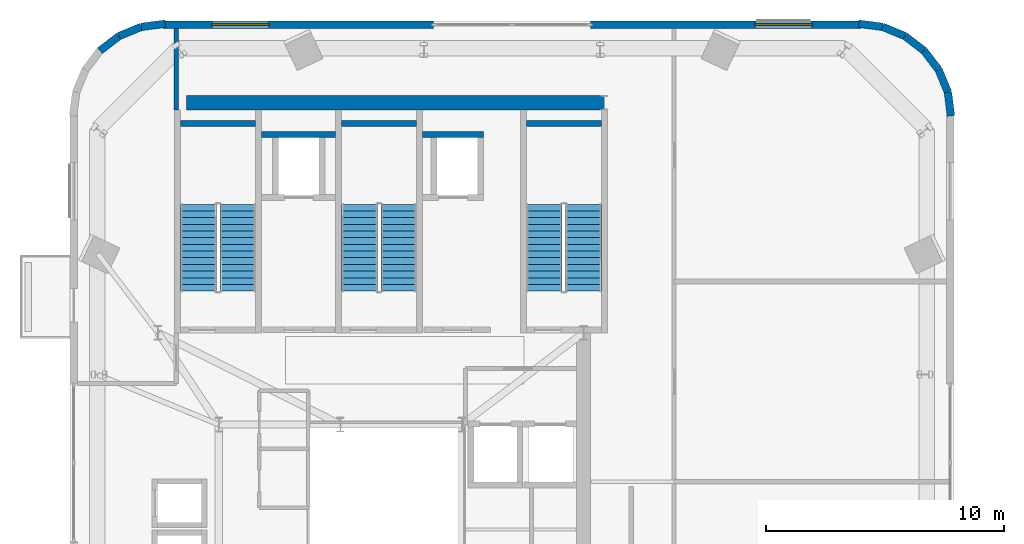
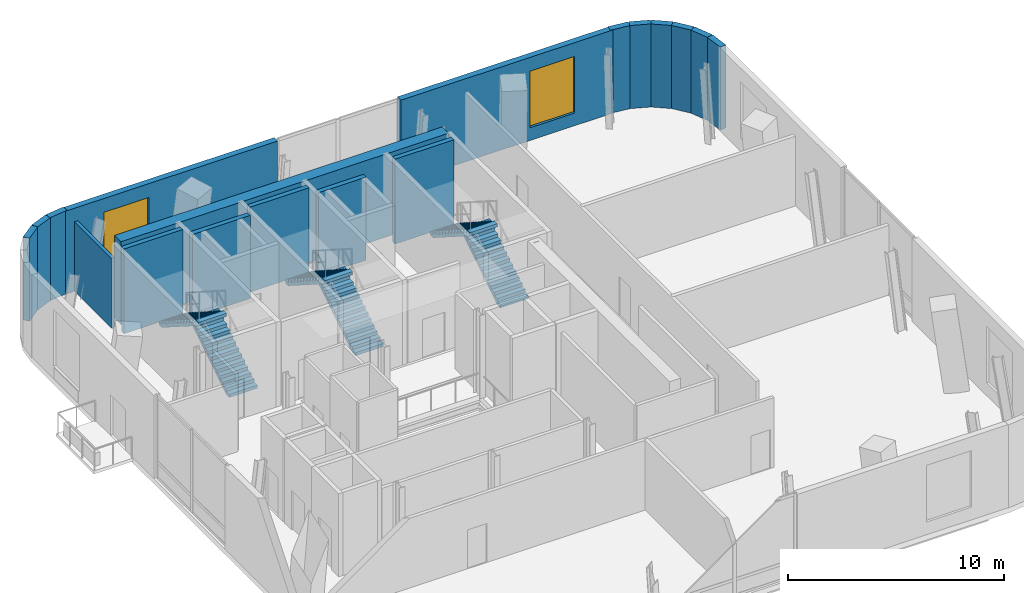
# One storey, part 8 of 10: 18 walls, 6 stair flights, 2 windows, 2 openings, 3 elements without a shape of their own.
"""IFC4 building model written with IfcOpenShell, lengths in metres."""

from ifc_helpers import new_model, si_unit, direction, frame, frame_2d, origin, place, context, subcontext, project, spatial, polyline, rectangle, outline, extrude, source, transform, mapped, material, layer, layer_set, type_object, element, fill, aggregate, save


model = new_model("IFC4")

# Units and contexts
model_context = context("Model", 3, precision=1e-05, world=origin(), true_north=direction((0.0, 1.0)))
body_context = subcontext(model_context, "Body", "Model", "MODEL_VIEW")
ifc_project = project(units=[si_unit("LENGTHUNIT", "METRE"), si_unit("AREAUNIT", "SQUARE_METRE"), si_unit("VOLUMEUNIT", "CUBIC_METRE"), si_unit("PLANEANGLEUNIT", "RADIAN"), si_unit("MASSUNIT", "GRAM", prefix="KILO")], contexts=[model_context])

# Site, building, storey
site_placement = place(None, origin())
site = spatial("IfcSite", under=ifc_project, at=site_placement, CompositionType="ELEMENT")
building_placement = place(site_placement, origin())
building = spatial("IfcBuilding", under=site, at=building_placement, Name="Vardaveli Station Tower", CompositionType="ELEMENT")
storey_placement = place(building_placement, frame((0.0, 0.0, 291.14990234375)))
storey = spatial("IfcBuildingStorey", under=building, at=storey_placement, Name="L74", CompositionType="ELEMENT", Elevation=291.14990234375)

# Wall
ifc_material_1 = material(Name="Concrete C50/60", Category="concrete")
ifc_layer_1 = layer(ifc_material_1, 0.60009765625, Name="Concrete C50/60")
ifc_layer_set_1 = layer_set([ifc_layer_1], Name="Concrete C50/60")
wall_type_1 = type_object("IfcWallType", Name="WAL-CORE-600", PredefinedType="SHEAR", material=ifc_layer_set_1)
shared_shape_1 = source(origin(), body_context, "Body", "SweptSolid", [
    extrude(rectangle(XDim=17.52001953125, YDim=0.60009765625, at=frame_2d((8.760009765625, 0.0))), origin(), (0.0, 0.0, 1.0), 4.7001953125),
])
wall_1_placement = place(storey_placement, frame((29.85009765625, 40.300048828125, 0.0), z_axis=(0.0, 0.0, 1.0), x_axis=(1.0, 0.0, 0.0)))
element("IfcWall", 1, at=wall_1_placement, inside=storey, type_object=wall_type_1, Name="SW-L74-NORTH", PredefinedType="SHEAR", context=body_context, shape_type="MappedRepresentation", body=[
    mapped(shared_shape_1, transform((0.0, 0.0, 0.0), scale=1.0)),
])

# Wall, opening, window
ifc_material_2 = material(Name="Precast concrete C45/55", Category="concrete")
ifc_layer_2 = layer(ifc_material_2, 0.320068359375, Name="Precast concrete C45/55")
ifc_layer_set_2 = layer_set([ifc_layer_2], Name="Precast concrete C45/55")
wall_type_2 = type_object("IfcWallType", Name="WAL-EXT-STONE-320", PredefinedType="SOLIDWALL", material=ifc_layer_set_2)
shared_shape_2 = source(origin(), body_context, "Body", "SweptSolid", [
    extrude(rectangle(XDim=11.346923828125, YDim=0.320068359375, at=frame_2d((5.67333984375, 0.0))), origin(), (0.0, 0.0, 1.0), 4.7001953125),
])
wall_2_placement = place(storey_placement, frame((58.14697265625, 43.580078125, 0.0), z_axis=(0.0, 0.0, 1.0), x_axis=(-1.0, 0.0, 0.0)))
wall_2 = element("IfcWall", 2, at=wall_2_placement, inside=storey, type_object=wall_type_2, Name="EW-L74-N1", PredefinedType="SOLIDWALL", context=body_context, shape_type="MappedRepresentation", body=[
    mapped(shared_shape_2, transform((0.0, 0.0, 0.0), scale=1.0)),
])
shared_shape_3 = source(origin(), body_context, "Body", "SweptSolid", [
    extrude(rectangle(XDim=2.39990234375, YDim=3.199951171875, at=frame_2d((1.199951171875, 1.60009765625))), frame((0.0, 0.169921875, 0.0), z_axis=(0.0, -1.0, 0.0), x_axis=(1.0, 0.0, 0.0)), (0.0, 0.0, 1.0), 0.340087890625),
])
opening_1_placement = place(wall_2_placement, frame((2.054443359375, 0.0, 0.719970703125)))
opening_1 = element("IfcOpeningElement", 3, at=opening_1_placement, cuts=wall_2, Name="Opening W-06", PredefinedType="OPENING", context=body_context, shape_type="MappedRepresentation", body=[
    mapped(shared_shape_3, transform((0.0, 0.0, 0.0), scale=1.0)),
])
ifc_material_3 = material(Name="Low-iron tempered belvedere glass", Category="glass")
window_type = type_object("IfcWindowType", Name="WIN-OBS-2400x3200", PartitioningType="SINGLE_PANEL", PredefinedType="WINDOW", material=ifc_material_3)
shared_shape_4 = source(origin(), body_context, "Body", "SweptSolid", [
    extrude(rectangle(XDim=2.39990234375, YDim=3.199951171875, at=frame_2d((1.199951171875, 1.60009765625))), frame((0.0, 0.030029296875, 0.0), z_axis=(0.0, -1.0, 0.0), x_axis=(1.0, 0.0, 0.0)), (0.0, 0.0, 1.0), 0.06005859375),
])
window_1_placement = place(opening_1_placement, origin())
window_1 = element("IfcWindow", 4, at=window_1_placement, inside=storey, type_object=window_type, Name="WN-L74-N1", OverallHeight=3.199951171875, OverallWidth=2.39990234375, PartitioningType="SINGLE_PANEL", PredefinedType="WINDOW", context=body_context, shape_type="MappedRepresentation", body=[
    mapped(shared_shape_4, transform((0.0, 0.0, 0.0), scale=1.0)),
])
fill(opening_1, window_1)

wall_3_placement = place(storey_placement, frame((40.199951171875, 43.580078125, 0.0), z_axis=(0.0, 0.0, 1.0), x_axis=(-1.0, 0.0, 0.0)))
wall_3 = element("IfcWall", 5, at=wall_3_placement, inside=storey, type_object=wall_type_2, Name="EW-L74-N2", PredefinedType="SOLIDWALL", context=body_context, shape_type="MappedRepresentation", body=[
    mapped(shared_shape_2, transform((0.0, 0.0, 0.0), scale=1.0)),
])
opening_2_placement = place(wall_3_placement, frame((6.892578125, 0.0, 0.719970703125)))
opening_2 = element("IfcOpeningElement", 6, at=opening_2_placement, cuts=wall_3, Name="Opening W-06", PredefinedType="OPENING", context=body_context, shape_type="MappedRepresentation", body=[
    mapped(shared_shape_3, transform((0.0, 0.0, 0.0), scale=1.0)),
])
window_2_placement = place(opening_2_placement, origin())
window_2 = element("IfcWindow", 7, at=window_2_placement, inside=storey, type_object=window_type, Name="WN-L74-N2", OverallHeight=3.199951171875, OverallWidth=2.39990234375, PartitioningType="SINGLE_PANEL", PredefinedType="WINDOW", context=body_context, shape_type="MappedRepresentation", body=[
    mapped(shared_shape_4, transform((0.0, 0.0, 0.0), scale=1.0)),
])
fill(opening_2, window_2)

# Walls
shared_shape_5 = source(origin(), body_context, "Body", "SweptSolid", [
    extrude(rectangle(XDim=1.009765625, YDim=0.320068359375, at=frame_2d((0.5048828125, 0.0))), origin(), (0.0, 0.0, 1.0), 4.7001953125),
])
for number, where, z_axis, x_axis, name in (
    (8, (61.400634765625, 41.68505859375, 0.0), (0.0, 0.0, 1.0), (-0.608131997518, 0.793835923598, 0.0), "EW-L74-CR3-3"),
    (9, (60.78662109375, 42.486572265625, 0.0), (0.0, 0.0, 1.0), (-0.793719194535, 0.608284341593, 0.0), "EW-L74-CR3-4"),
    (10, (27.014892578125, 43.100830078125, 0.0), (0.0, 0.0, 1.0), (-0.793719194535, -0.608284341593, 0.0), "EW-L74-CR4-3"),
):
    element("IfcWall", number, at=place(storey_placement, frame(where, z_axis=z_axis, x_axis=x_axis)), inside=storey, type_object=wall_type_2, Name=name, PredefinedType="SOLIDWALL", context=body_context, shape_type="MappedRepresentation", body=[
        mapped(shared_shape_5, transform((0.0, 0.0, 0.0), scale=1.0)),
    ])
shared_shape_6 = source(origin(), body_context, "Body", "SweptSolid", [
    extrude(rectangle(XDim=1.01025390625, YDim=0.320068359375, at=frame_2d((0.505126953125, 0.0))), origin(), (0.0, 0.0, 1.0), 4.7001953125),
])
wall_4_placement = place(storey_placement, frame((61.785400390625, 40.7509765625, 0.0), z_axis=(0.0, 0.0, 1.0), x_axis=(-0.380871351783, 0.92462804056, 0.0)))
element("IfcWall", 11, at=wall_4_placement, inside=storey, type_object=wall_type_2, Name="EW-L74-CR3-2", PredefinedType="SOLIDWALL", context=body_context, shape_type="MappedRepresentation", body=[
    mapped(shared_shape_6, transform((0.0, 0.0, 0.0), scale=1.0)),
])
shared_shape_7 = source(origin(), body_context, "Body", "SweptSolid", [
    extrude(rectangle(XDim=1.011474609375, YDim=0.320068359375, at=frame_2d((0.505859375, 0.0))), origin(), (0.0, 0.0, 1.0), 4.7001953125),
])
for number, where, z_axis, x_axis, name in (
    (12, (61.91455078125, 39.747802734375, 0.0), (0.0, 0.0, 1.0), (-0.127687956372, 0.9918143908, 0.0), "EW-L74-CR3-1"),
    (13, (59.051025390625, 43.4853515625, 0.0), (0.0, 0.0, 1.0), (-0.9918143908, 0.127687956372, 0.0), "EW-L74-CR3-6"),
    (14, (28.9521484375, 43.614501953125, 0.0), (0.0, 0.0, 1.0), (-0.9918143908, -0.127687956372, 0.0), "EW-L74-CR4-1"),
):
    element("IfcWall", number, at=place(storey_placement, frame(where, z_axis=z_axis, x_axis=x_axis)), inside=storey, type_object=wall_type_2, Name=name, PredefinedType="SOLIDWALL", context=body_context, shape_type="MappedRepresentation", body=[
        mapped(shared_shape_7, transform((0.0, 0.0, 0.0), scale=1.0)),
    ])
shared_shape_8 = source(origin(), body_context, "Body", "SweptSolid", [
    extrude(rectangle(XDim=1.010009765625, YDim=0.320068359375, at=frame_2d((0.5048828125, 0.0))), origin(), (0.0, 0.0, 1.0), 4.7001953125),
])
for number, where, z_axis, x_axis, name in (
    (15, (59.985107421875, 43.100830078125, 0.0), (0.0, 0.0, 1.0), (-0.924713132731, 0.380664710939, 0.0), "EW-L74-CR3-5"),
    (16, (27.948974609375, 43.4853515625, 0.0), (0.0, 0.0, 1.0), (-0.924713132731, -0.380664710939, 0.0), "EW-L74-CR4-2"),
):
    element("IfcWall", number, at=place(storey_placement, frame(where, z_axis=z_axis, x_axis=x_axis)), inside=storey, type_object=wall_type_2, Name=name, PredefinedType="SOLIDWALL", context=body_context, shape_type="MappedRepresentation", body=[
        mapped(shared_shape_8, transform((0.0, 0.0, 0.0), scale=1.0)),
    ])
ifc_material_4 = material(Name="Concrete C40/50", Category="concrete")
ifc_layer_3 = layer(ifc_material_4, 0.25, Name="Concrete C40/50")
ifc_layer_set_3 = layer_set([ifc_layer_3], Name="Concrete C40/50")
wall_type_3 = type_object("IfcWallType", Name="WAL-SHAFT-250", PredefinedType="SOLIDWALL", material=ifc_layer_set_3)
shared_shape_9 = source(origin(), body_context, "Body", "SweptSolid", [
    extrude(rectangle(XDim=3.14990234375, YDim=0.25, at=frame_2d((1.574951171875, 0.0))), origin(), (0.0, 0.0, 1.0), 4.800048828125),
])
for number, where, z_axis, x_axis, name in (
    (17, (29.60009765625, 39.425048828125, 0.0), (0.0, 0.0, 1.0), (1.0, 0.0, 0.0), "W-L74-ST-1N"),
    (18, (36.35009765625, 39.425048828125, 0.0), (0.0, 0.0, 1.0), (1.0, 0.0, 0.0), "W-L74-ST-2N"),
    (19, (44.10009765625, 39.425048828125, 0.0), (0.0, 0.0, 1.0), (1.0, 0.0, 0.0), "W-L74-ST-3N"),
):
    element("IfcWall", number, at=place(storey_placement, frame(where, z_axis=z_axis, x_axis=x_axis)), inside=storey, type_object=wall_type_3, Name=name, PredefinedType="SOLIDWALL", context=body_context, shape_type="MappedRepresentation", body=[
        mapped(shared_shape_9, transform((0.0, 0.0, 0.0), scale=1.0)),
    ])
shared_shape_10 = source(origin(), body_context, "Body", "SweptSolid", [
    extrude(rectangle(XDim=3.10009765625, YDim=0.25, at=frame_2d((1.550048828125, 0.0))), origin(), (0.0, 0.0, 1.0), 4.7001953125),
])
wall_5_placement = place(storey_placement, frame((33.0, 38.97509765625, 0.0), z_axis=(0.0, 0.0, 1.0), x_axis=(1.0, 0.0, 0.0)))
element("IfcWall", 20, at=wall_5_placement, inside=storey, type_object=wall_type_3, Name="SHW-FFL-01-L74-N", PredefinedType="SOLIDWALL", context=body_context, shape_type="MappedRepresentation", body=[
    mapped(shared_shape_10, transform((0.0, 0.0, 0.0), scale=1.0)),
])
shared_shape_11 = source(origin(), body_context, "Body", "SweptSolid", [
    extrude(rectangle(XDim=2.550048828125, YDim=0.25, at=frame_2d((1.27490234375, 0.0))), origin(), (0.0, 0.0, 1.0), 4.7001953125),
])
wall_6_placement = place(storey_placement, frame((39.75, 38.97509765625, 0.0), z_axis=(0.0, 0.0, 1.0), x_axis=(1.0, 0.0, 0.0)))
element("IfcWall", 21, at=wall_6_placement, inside=storey, type_object=wall_type_3, Name="SHW-FFL-02-L74-N", PredefinedType="SOLIDWALL", context=body_context, shape_type="MappedRepresentation", body=[
    mapped(shared_shape_11, transform((0.0, 0.0, 0.0), scale=1.0)),
])
ifc_material_5 = material(Name="Fire-rated gypsum stud partition")
ifc_layer_4 = layer(ifc_material_5, 0.179931640625, Name="Fire-rated gypsum stud partition")
ifc_layer_set_4 = layer_set([ifc_layer_4], Name="Fire-rated gypsum stud partition")
wall_type_4 = type_object("IfcWallType", Name="WAL-CORR-180", PredefinedType="PARTITIONING", material=ifc_layer_set_4)
shared_shape_12 = source(origin(), body_context, "Body", "SweptSolid", [
    extrude(rectangle(XDim=3.41796875, YDim=0.179931640625, at=frame_2d((1.708984375, 0.0))), origin(), (0.0, 0.0, 1.0), 3.942138671875),
])
wall_7_placement = place(storey_placement, frame((29.419921875, 40.0, 0.0), z_axis=(0.0, 0.0, 1.0), x_axis=(0.0, 1.0, 0.0)))
element("IfcWall", 22, at=wall_7_placement, inside=storey, type_object=wall_type_4, Name="W-L74-OBNW-E-P2", PredefinedType="PARTITIONING", context=body_context, shape_type="MappedRepresentation", body=[
    mapped(shared_shape_12, transform((0.0, 0.0, 0.0), scale=1.0)),
])

# Stair, stair flights
stair_type = type_object("IfcStairType", Name="STR-CORE-1500", PredefinedType="HALF_TURN_STAIR", material=ifc_material_4)
stair_1_placement = place(storey_placement, origin())
stair_1 = element("IfcStair", 23, at=stair_1_placement, inside=storey, type_object=stair_type, Name="L74 ST-1", PredefinedType="HALF_TURN_STAIR")
stair_flight_type = type_object("IfcStairFlightType", Name="SFL-CORE-1500", PredefinedType="STRAIGHT", material=ifc_material_4)
shared_shape_13 = source(origin(), body_context, "Body", "SweptSolid", [
    extrude(outline(polyline([(0.0, 0.0), (0.0, 0.178466796875), (0.280029296875, 0.178466796875), (0.280029296875, 0.357177734375), (0.56005859375, 0.357177734375), (0.56005859375, 0.53564453125), (0.840087890625, 0.53564453125), (0.840087890625, 0.71435546875), (1.1201171875, 0.71435546875), (1.1201171875, 0.892822265625), (1.39990234375, 0.892822265625), (1.39990234375, 1.071533203125), (1.679931640625, 1.071533203125), (1.679931640625, 1.25), (1.9599609375, 1.25), (1.9599609375, 1.428466796875), (2.239990234375, 1.428466796875), (2.239990234375, 1.607177734375), (2.52001953125, 1.607177734375), (2.52001953125, 1.78564453125), (2.800048828125, 1.78564453125), (2.800048828125, 1.96435546875), (3.080078125, 1.96435546875), (3.080078125, 2.142822265625), (3.360107421875, 2.142822265625), (3.360107421875, 2.321533203125), (3.639892578125, 2.321533203125), (3.639892578125, 2.5), (3.639892578125, 2.1435546875), (0.27880859375, 0.0), (0.0, 0.0)])), frame((0.0, 0.75, 0.0), z_axis=(0.0, -1.0, 0.0), x_axis=(1.0, 0.0, 0.0)), (0.0, 0.0, 1.0), 1.5),
])
stair_flight_1_placement = place(storey_placement, frame((32.0, 32.39990234375, 0.0), z_axis=(0.0, 0.0, 1.0), x_axis=(0.0, 1.0, 0.0)))
stair_flight_1 = element("IfcStairFlight", 24, at=stair_flight_1_placement, type_object=stair_flight_type, Name="ST-1 flight 1", NumberOfRisers=14, NumberOfTreads=13, PredefinedType="STRAIGHT", RiserHeight=0.178571429, TreadLength=0.28, context=body_context, shape_type="MappedRepresentation", body=[
    mapped(shared_shape_13, transform((0.0, 0.0, 0.0), scale=1.0)),
])
stair_flight_2_placement = place(storey_placement, frame((30.35009765625, 36.0400390625, 2.5), z_axis=(0.0, 0.0, 1.0), x_axis=(0.0, -1.0, 0.0)))
stair_flight_2 = element("IfcStairFlight", 25, at=stair_flight_2_placement, type_object=stair_flight_type, Name="ST-1 flight 2", NumberOfRisers=14, NumberOfTreads=13, PredefinedType="STRAIGHT", RiserHeight=0.178571429, TreadLength=0.28, context=body_context, shape_type="MappedRepresentation", body=[
    mapped(shared_shape_13, transform((0.0, 0.0, 0.0), scale=1.0)),
])
aggregate(stair_1, [stair_flight_1, stair_flight_2])

stair_2_placement = place(storey_placement, origin())
stair_2 = element("IfcStair", 26, at=stair_2_placement, inside=storey, type_object=stair_type, Name="L74 ST-2", PredefinedType="HALF_TURN_STAIR")
stair_flight_3_placement = place(storey_placement, frame((38.75, 32.39990234375, 0.0), z_axis=(0.0, 0.0, 1.0), x_axis=(0.0, 1.0, 0.0)))
stair_flight_3 = element("IfcStairFlight", 27, at=stair_flight_3_placement, type_object=stair_flight_type, Name="ST-2 flight 1", NumberOfRisers=14, NumberOfTreads=13, PredefinedType="STRAIGHT", RiserHeight=0.178571429, TreadLength=0.28, context=body_context, shape_type="MappedRepresentation", body=[
    mapped(shared_shape_13, transform((0.0, 0.0, 0.0), scale=1.0)),
])
stair_flight_4_placement = place(storey_placement, frame((37.10009765625, 36.0400390625, 2.5), z_axis=(0.0, 0.0, 1.0), x_axis=(0.0, -1.0, 0.0)))
stair_flight_4 = element("IfcStairFlight", 28, at=stair_flight_4_placement, type_object=stair_flight_type, Name="ST-2 flight 2", NumberOfRisers=14, NumberOfTreads=13, PredefinedType="STRAIGHT", RiserHeight=0.178571429, TreadLength=0.28, context=body_context, shape_type="MappedRepresentation", body=[
    mapped(shared_shape_13, transform((0.0, 0.0, 0.0), scale=1.0)),
])
aggregate(stair_2, [stair_flight_3, stair_flight_4])

stair_3_placement = place(storey_placement, origin())
stair_3 = element("IfcStair", 29, at=stair_3_placement, inside=storey, type_object=stair_type, Name="L74 ST-3", PredefinedType="HALF_TURN_STAIR")
stair_flight_5_placement = place(storey_placement, frame((46.5, 32.39990234375, 0.0), z_axis=(0.0, 0.0, 1.0), x_axis=(0.0, 1.0, 0.0)))
stair_flight_5 = element("IfcStairFlight", 30, at=stair_flight_5_placement, type_object=stair_flight_type, Name="ST-3 flight 1", NumberOfRisers=14, NumberOfTreads=13, PredefinedType="STRAIGHT", RiserHeight=0.178571429, TreadLength=0.28, context=body_context, shape_type="MappedRepresentation", body=[
    mapped(shared_shape_13, transform((0.0, 0.0, 0.0), scale=1.0)),
])
stair_flight_6_placement = place(storey_placement, frame((44.85009765625, 36.0400390625, 2.5), z_axis=(0.0, 0.0, 1.0), x_axis=(0.0, -1.0, 0.0)))
stair_flight_6 = element("IfcStairFlight", 31, at=stair_flight_6_placement, type_object=stair_flight_type, Name="ST-3 flight 2", NumberOfRisers=14, NumberOfTreads=13, PredefinedType="STRAIGHT", RiserHeight=0.178571429, TreadLength=0.28, context=body_context, shape_type="MappedRepresentation", body=[
    mapped(shared_shape_13, transform((0.0, 0.0, 0.0), scale=1.0)),
])
aggregate(stair_3, [stair_flight_5, stair_flight_6])

save(model, "model.ifc")
